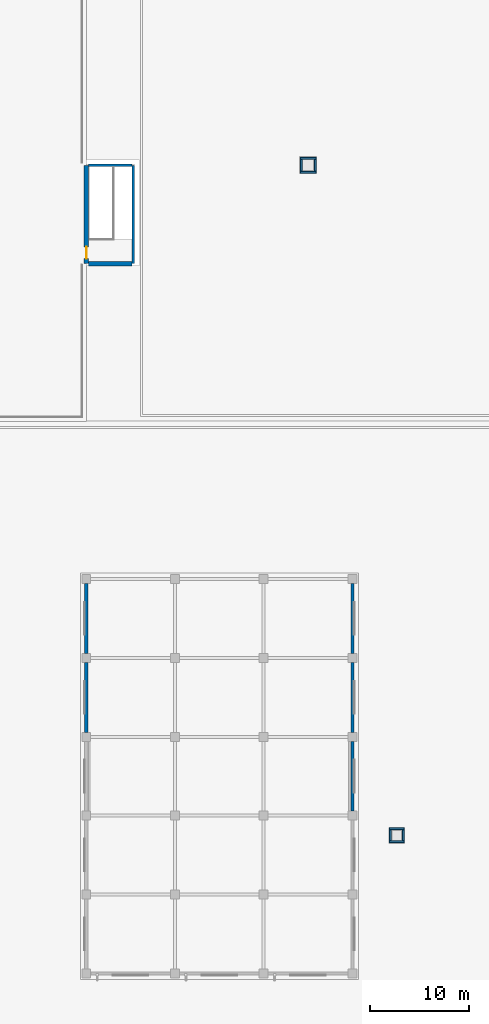
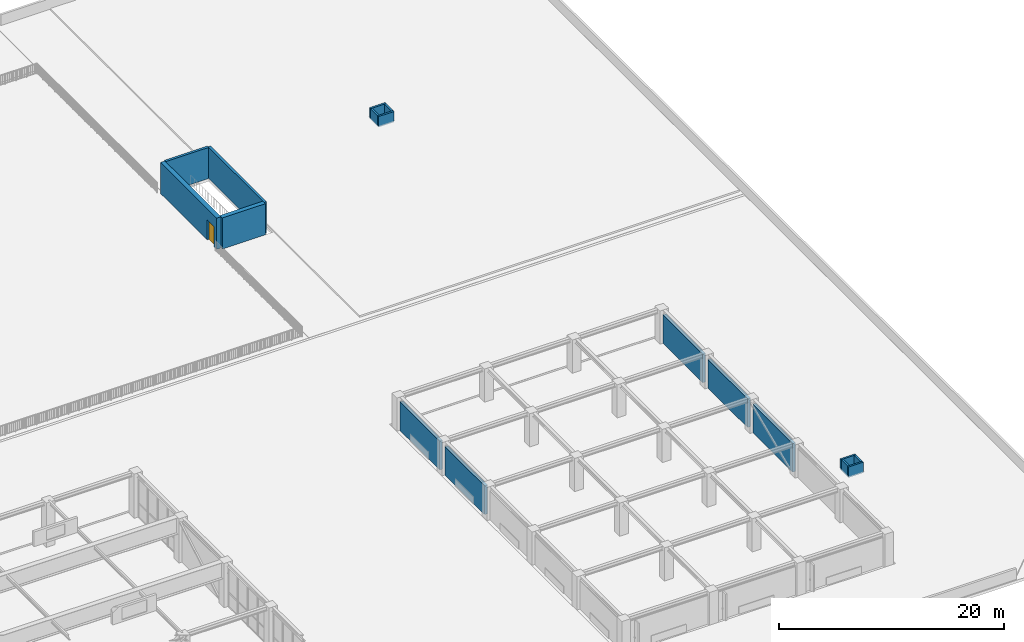
# One storey, part 24 of 34: 17 walls, 1 door, 1 opening.
"""IFC4 building model written with IfcOpenShell, lengths in metres."""

from ifc_helpers import new_model, si_unit, direction, frame, frame_2d, origin, place, context, subcontext, project, spatial, rectangle, extrude, material, layer, layer_set, type_object, element, fill, save


model = new_model("IFC4")

# Units and contexts
model_context = context("Model", 3, precision=1e-05, world=origin(), true_north=direction((0.0, 1.0)))
body_context = subcontext(model_context, "Body", "Model", "MODEL_VIEW")
ifc_project = project(units=[si_unit("LENGTHUNIT", "METRE"), si_unit("AREAUNIT", "SQUARE_METRE"), si_unit("VOLUMEUNIT", "CUBIC_METRE"), si_unit("PLANEANGLEUNIT", "RADIAN"), si_unit("MASSUNIT", "GRAM", prefix="KILO")], contexts=[model_context])

# Site, building, storey
site_placement = place(None, origin())
site = spatial("IfcSite", under=ifc_project, at=site_placement, CompositionType="ELEMENT")
building_placement = place(site_placement, origin())
building = spatial("IfcBuilding", under=site, at=building_placement, Name="Zaverband Oceanarium and Marine Research Institute", CompositionType="ELEMENT")
storey_placement = place(building_placement, frame((0.0, 0.0, 18.0)))
storey = spatial("IfcBuildingStorey", under=building, at=storey_placement, Name="L04", CompositionType="ELEMENT", Elevation=18.0)

# Wall, opening, door
ifc_material_1 = material(Name="Concrete C50/60", Category="concrete")
ifc_layer_1 = layer(ifc_material_1, 0.449951171875, Name="Concrete C50/60")
ifc_layer_set_1 = layer_set([ifc_layer_1], Name="Concrete C50/60")
wall_type_1 = type_object("IfcWallType", Name="CW-02", PredefinedType="SHEAR", material=ifc_layer_set_1)
wall_1_placement = place(storey_placement, frame((135.0, 80.0, 0.0), z_axis=(0.0, 0.0, 1.0), x_axis=(0.0, 1.0, 0.0)))
wall_1 = element("IfcWall", 1, at=wall_1_placement, inside=storey, type_object=wall_type_1, Name="Structural shear wall CW-02", PredefinedType="SHEAR", context=body_context, shape_type="SweptSolid", body=[
    extrude(rectangle(XDim=9.97509765625, YDim=0.449951171875, at=frame_2d((4.987548828125, 0.0))), origin(), (0.0, 0.0, 1.0), 3.3798828125),
])
opening_placement = place(wall_1_placement, frame((0.5, 0.0, 0.0)))
opening = element("IfcOpeningElement", 2, at=opening_placement, cuts=wall_1, Name="Opening FD-04", PredefinedType="OPENING", context=body_context, shape_type="SweptSolid", body=[
    extrude(rectangle(XDim=1.199951171875, YDim=2.14990234375, at=frame_2d((0.60009765625, 1.074951171875))), frame((0.0, 0.23681640625, 0.0), z_axis=(0.0, -1.0, 0.0), x_axis=(1.0, 0.0, 0.0)), (0.0, 0.0, 1.0), 0.473876953125),
])
ifc_material_2 = material(Name="Steel S355", Category="steel")
door_type = type_object("IfcDoorType", Name="FD-04", OperationType="NOTDEFINED", PredefinedType="DOOR", material=ifc_material_2)
door_placement = place(opening_placement, origin())
door = element("IfcDoor", 3, at=door_placement, inside=storey, type_object=door_type, Name="Roof plant bulkhead access fire door FD-04", OperationType="SINGLE_SWING_LEFT", OverallHeight=2.14990234375, OverallWidth=1.199951171875, PredefinedType="DOOR", context=body_context, shape_type="SweptSolid", body=[
    extrude(rectangle(XDim=1.199951171875, YDim=2.14990234375, at=frame_2d((0.60009765625, 1.074951171875))), frame((0.0, 0.02490234375, 0.0), z_axis=(0.0, -1.0, 0.0), x_axis=(1.0, 0.0, 0.0)), (0.0, 0.0, 1.0), 0.050048828125),
])
fill(opening, door)

# Walls
wall_2_placement = place(storey_placement, frame((135.22998046875, 80.0, 0.0), z_axis=(0.0, 0.0, 1.0), x_axis=(1.0, 0.0, 0.0)))
element("IfcWall", 4, at=wall_2_placement, inside=storey, type_object=wall_type_1, Name="Structural shear wall CW-02", PredefinedType="SHEAR", context=body_context, shape_type="SweptSolid", body=[
    extrude(rectangle(XDim=4.4150390625, YDim=0.449951171875, at=frame_2d((2.20751953125, 0.0))), origin(), (0.0, 0.0, 1.0), 3.3798828125),
])
ifc_material_3 = material(Name="Concrete C40/50 precast", Category="concrete")
ifc_layer_2 = layer(ifc_material_3, 0.31005859375, Name="Concrete C40/50 precast")
ifc_layer_set_2 = layer_set([ifc_layer_2], Name="Concrete C40/50 precast")
wall_type_2 = type_object("IfcWallType", Name="EW-310", PredefinedType="STANDARD", material=ifc_layer_set_2)
for number, where, z_axis, x_axis, name in (
    (5, (135.0, 32.4599609375, 0.0), (0.0, 0.0, 1.0), (0.0, 1.0, 0.0), "Exterior infill wall EW-310"),
    (6, (135.0, 40.4599609375, 0.0), (0.0, 0.0, 1.0), (0.0, 1.0, 0.0), "Exterior infill wall EW-310"),
    (7, (162.0, 24.4599609375, 0.0), (0.0, 0.0, 1.0), (0.0, 1.0, 0.0), "Exterior infill wall EW-310"),
    (8, (162.0, 32.4599609375, 0.0), (0.0, 0.0, 1.0), (0.0, 1.0, 0.0), "Exterior infill wall EW-310"),
    (9, (162.0, 40.4599609375, 0.0), (0.0, 0.0, 1.0), (0.0, 1.0, 0.0), "Exterior infill wall EW-310"),
):
    element("IfcWall", number, at=place(storey_placement, frame(where, z_axis=z_axis, x_axis=x_axis)), inside=storey, type_object=wall_type_2, Name=name, PredefinedType="STANDARD", context=body_context, shape_type="SweptSolid", body=[
        extrude(rectangle(XDim=7.080078125, YDim=0.31005859375, at=frame_2d((3.5400390625, 0.0))), origin(), (0.0, 0.0, 1.0), 3.10009765625),
    ])
ifc_material_4 = material(Name="Concrete C40/50", Category="concrete")
ifc_layer_3 = layer(ifc_material_4, 0.195068359375, Name="Concrete C40/50")
ifc_layer_set_3 = layer_set([ifc_layer_3], Name="Concrete C40/50")
wall_type_3 = type_object("IfcWallType", Name="PAR-195", PredefinedType="PARAPET", material=ifc_layer_set_3)
for number, where, z_axis, x_axis, name in (
    (10, (165.742431640625, 21.340087890625, 0.0), (0.0, 0.0, 1.0), (1.0, 0.0, 0.0), "Roof parapet upstand PAR-195"),
    (11, (165.742431640625, 22.659912109375, 0.0), (0.0, 0.0, 1.0), (1.0, 0.0, 0.0), "Roof parapet upstand PAR-195"),
):
    element("IfcWall", number, at=place(storey_placement, frame(where, z_axis=z_axis, x_axis=x_axis)), inside=storey, type_object=wall_type_3, Name=name, PredefinedType="PARAPET", context=body_context, shape_type="SweptSolid", body=[
        extrude(rectangle(XDim=1.51513671875, YDim=0.195068359375, at=frame_2d((0.757568359375, 0.0))), origin(), (0.0, 0.0, 1.0), 1.14990234375),
    ])
for number, where, z_axis, x_axis, name in (
    (12, (165.840087890625, 21.4375, 0.0), (0.0, 0.0, 1.0), (0.0, 1.0, 0.0), "Roof parapet upstand PAR-195"),
    (13, (167.159912109375, 21.4375, 0.0), (0.0, 0.0, 1.0), (0.0, 1.0, 0.0), "Roof parapet upstand PAR-195"),
):
    element("IfcWall", number, at=place(storey_placement, frame(where, z_axis=z_axis, x_axis=x_axis)), inside=storey, type_object=wall_type_3, Name=name, PredefinedType="PARAPET", context=body_context, shape_type="SweptSolid", body=[
        extrude(rectangle(XDim=1.125, YDim=0.195068359375, at=frame_2d((0.5625, 0.0))), origin(), (0.0, 0.0, 1.0), 1.14990234375),
    ])
for number, where, z_axis, x_axis, name in (
    (14, (156.6923828125, 89.2900390625, 0.0), (0.0, 0.0, 1.0), (1.0, 0.0, 0.0), "Roof parapet upstand PAR-195"),
    (15, (156.6923828125, 90.7099609375, 0.0), (0.0, 0.0, 1.0), (1.0, 0.0, 0.0), "Roof parapet upstand PAR-195"),
):
    element("IfcWall", number, at=place(storey_placement, frame(where, z_axis=z_axis, x_axis=x_axis)), inside=storey, type_object=wall_type_3, Name=name, PredefinedType="PARAPET", context=body_context, shape_type="SweptSolid", body=[
        extrude(rectangle(XDim=1.615234375, YDim=0.195068359375, at=frame_2d((0.8076171875, 0.0))), origin(), (0.0, 0.0, 1.0), 1.14990234375),
    ])
for number, where, z_axis, x_axis, name in (
    (16, (156.7900390625, 89.387451171875, 0.0), (0.0, 0.0, 1.0), (0.0, 1.0, 0.0), "Roof parapet upstand PAR-195"),
    (17, (158.2099609375, 89.387451171875, 0.0), (0.0, 0.0, 1.0), (0.0, 1.0, 0.0), "Roof parapet upstand PAR-195"),
):
    element("IfcWall", number, at=place(storey_placement, frame(where, z_axis=z_axis, x_axis=x_axis)), inside=storey, type_object=wall_type_3, Name=name, PredefinedType="PARAPET", context=body_context, shape_type="SweptSolid", body=[
        extrude(rectangle(XDim=1.22509765625, YDim=0.195068359375, at=frame_2d((0.612548828125, 0.0))), origin(), (0.0, 0.0, 1.0), 1.14990234375),
    ])
ifc_layer_4 = layer(ifc_material_1, 0.25, Name="Concrete C50/60")
ifc_layer_set_4 = layer_set([ifc_layer_4], Name="Concrete C50/60")
wall_type_4 = type_object("IfcWallType", Name="PW-CORE-250", PredefinedType="SOLIDWALL", material=ifc_layer_set_4)
wall_3_placement = place(storey_placement, frame((139.77490234375, 80.0, 0.0), z_axis=(0.0, 0.0, 1.0), x_axis=(0.0, 1.0, 0.0)))
element("IfcWall", 18, at=wall_3_placement, inside=storey, type_object=wall_type_4, Name="Structural concrete wall PW-CORE-250", PredefinedType="SOLIDWALL", context=body_context, shape_type="SweptSolid", body=[
    extrude(rectangle(XDim=9.97509765625, YDim=0.25, at=frame_2d((4.987548828125, 0.0))), origin(), (0.0, 0.0, 1.0), 3.3798828125),
])
wall_4_placement = place(storey_placement, frame((135.22998046875, 89.97509765625, 0.0), z_axis=(0.0, 0.0, 1.0), x_axis=(1.0, 0.0, 0.0)))
element("IfcWall", 19, at=wall_4_placement, inside=storey, type_object=wall_type_4, Name="Structural concrete wall PW-CORE-250", PredefinedType="SOLIDWALL", context=body_context, shape_type="SweptSolid", body=[
    extrude(rectangle(XDim=4.4150390625, YDim=0.25, at=frame_2d((2.20751953125, 0.0))), origin(), (0.0, 0.0, 1.0), 3.3798828125),
])

save(model, "model.ifc")
